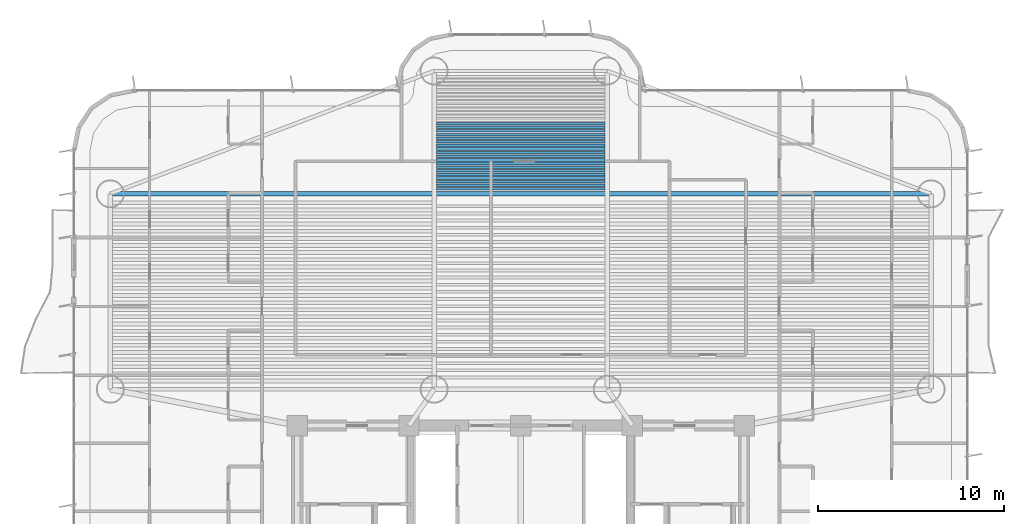
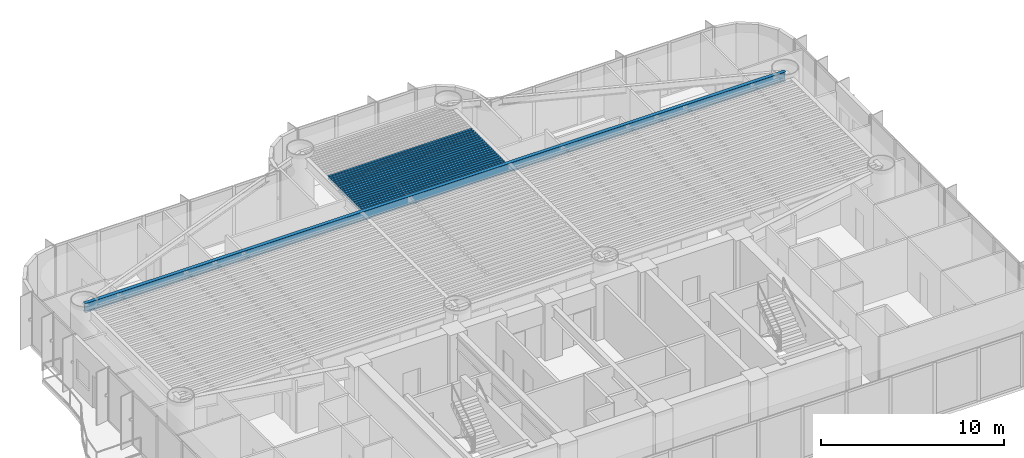
# One storey, part 4 of 19: 20 beams.
"""IFC4 building model written with IfcOpenShell, lengths in metres."""

from ifc_helpers import new_model, si_unit, direction, frame, origin, origin_2d, place, context, subcontext, project, spatial, i_section, extrude, source, transform, mapped, material, material_profile, profile_set, type_object, element, save


model = new_model("IFC4")

# Units and contexts
model_context = context("Model", 3, precision=1e-05, world=origin(), true_north=direction((0.0, 1.0)))
body_context = subcontext(model_context, "Body", "Model", "MODEL_VIEW")
ifc_project = project(units=[si_unit("LENGTHUNIT", "METRE"), si_unit("AREAUNIT", "SQUARE_METRE"), si_unit("VOLUMEUNIT", "CUBIC_METRE"), si_unit("PLANEANGLEUNIT", "RADIAN"), si_unit("MASSUNIT", "GRAM", prefix="KILO")], contexts=[model_context])

# Site, building, storey
site_placement = place(None, origin())
site = spatial("IfcSite", under=ifc_project, at=site_placement, CompositionType="ELEMENT")
building_placement = place(site_placement, origin())
building = spatial("IfcBuilding", under=site, at=building_placement, Name="Brelvock Crest Care Tower", CompositionType="ELEMENT")
storey_placement = place(building_placement, frame((0.0, 0.0, 30.780029296875)))
storey = spatial("IfcBuildingStorey", under=building, at=storey_placement, Name="L07", CompositionType="ELEMENT", Elevation=30.780029296875)

# Beams
ifc_material = material(Name="Steel Grade 350", Category="steel")
ifc_material_profile_1 = material_profile(ifc_material, i_section(OverallWidth=0.22900390625, OverallDepth=0.612060546875, WebThickness=0.011962890625, FlangeThickness=0.01953125, FilletRadius=0.013916015625, at=origin_2d()), Name="610UB125")
ifc_profile_set_1 = profile_set([ifc_material_profile_1], Name="Steel Grade 350")
beam_type_1 = type_object("IfcBeamType", Name="BM-G1", PredefinedType="BEAM", material=ifc_profile_set_1)
shared_shape_1 = source(origin(), body_context, "Body", "SweptSolid", [
    extrude(i_section(OverallWidth=0.22900390625, OverallDepth=0.612060546875, WebThickness=0.011962890625, FlangeThickness=0.01953125, FilletRadius=0.013916015625, at=origin_2d()), origin(), (0.0, 0.0, 1.0), 44.10009765625),
])
beam_placement = place(storey_placement, frame((13.949951171875, 30.449951171875, 3.223876953125), z_axis=(1.0, 0.0, 0.0), x_axis=(0.0, 1.0, 0.0)))
element("IfcBeam", 1, at=beam_placement, inside=storey, type_object=beam_type_1, Name="BM-TWR-L07-11", PredefinedType="BEAM", context=body_context, shape_type="MappedRepresentation", body=[
    mapped(shared_shape_1, transform((0.0, 0.0, 0.0), x_axis=(1.0, 0.0, 0.0), y_axis=(0.0, 1.0, 0.0), z_axis=(0.0, 0.0, 1.0), scale=1.0)),
])
ifc_material_profile_2 = material_profile(ifc_material, i_section(OverallWidth=0.14599609375, OverallDepth=0.256103515625, WebThickness=0.00634765625, FlangeThickness=0.010986328125, FilletRadius=0.0087890625, at=origin_2d()), Name="250UB37.3")
ifc_profile_set_2 = profile_set([ifc_material_profile_2], Name="Steel Grade 350")
beam_type_2 = type_object("IfcBeamType", Name="BM-J3", PredefinedType="JOIST", material=ifc_profile_set_2)
shared_shape_2 = source(origin(), body_context, "Body", "SweptSolid", [
    extrude(i_section(OverallWidth=0.14599609375, OverallDepth=0.256103515625, WebThickness=0.00634765625, FlangeThickness=0.010986328125, FilletRadius=0.0087890625, at=origin_2d()), origin(), (0.0, 0.0, 1.0), 9.06982421875),
])
for number, where, z_axis, x_axis, name in (
    (2, (31.465087890625, 30.714111328125, 3.40185546875), (1.0, 0.0, 0.0), (0.0, 1.0, 0.0), "BM-JN-L07-1"),
    (3, (31.465087890625, 30.90869140625, 3.40185546875), (1.0, 0.0, 0.0), (0.0, 1.0, 0.0), "BM-JN-L07-2"),
    (4, (31.465087890625, 31.103515625, 3.40185546875), (1.0, 0.0, 0.0), (0.0, 1.0, 0.0), "BM-JN-L07-3"),
    (5, (31.465087890625, 31.298095703125, 3.40185546875), (1.0, 0.0, 0.0), (0.0, 1.0, 0.0), "BM-JN-L07-4"),
    (6, (31.465087890625, 31.492919921875, 3.40185546875), (1.0, 0.0, 0.0), (0.0, 1.0, 0.0), "BM-JN-L07-5"),
    (7, (31.465087890625, 31.6875, 3.40185546875), (1.0, 0.0, 0.0), (0.0, 1.0, 0.0), "BM-JN-L07-6"),
    (8, (31.465087890625, 31.882080078125, 3.40185546875), (1.0, 0.0, 0.0), (0.0, 1.0, 0.0), "BM-JN-L07-7"),
    (9, (31.465087890625, 32.076904296875, 3.40185546875), (1.0, 0.0, 0.0), (0.0, 1.0, 0.0), "BM-JN-L07-8"),
    (10, (31.465087890625, 32.271484375, 3.40185546875), (1.0, 0.0, 0.0), (0.0, 1.0, 0.0), "BM-JN-L07-9"),
    (11, (31.465087890625, 32.46630859375, 3.40185546875), (1.0, 0.0, 0.0), (0.0, 1.0, 0.0), "BM-JN-L07-10"),
    (12, (31.465087890625, 32.660888671875, 3.40185546875), (1.0, 0.0, 0.0), (0.0, 1.0, 0.0), "BM-JN-L07-11"),
    (13, (31.465087890625, 32.855712890625, 3.40185546875), (1.0, 0.0, 0.0), (0.0, 1.0, 0.0), "BM-JN-L07-12"),
    (14, (31.465087890625, 33.05029296875, 3.40185546875), (1.0, 0.0, 0.0), (0.0, 1.0, 0.0), "BM-JN-L07-13"),
):
    element("IfcBeam", number, at=place(storey_placement, frame(where, z_axis=z_axis, x_axis=x_axis)), inside=storey, type_object=beam_type_2, Name=name, PredefinedType="JOIST", context=body_context, shape_type="MappedRepresentation", body=[
        mapped(shared_shape_2, transform((0.0, 0.0, 0.0), x_axis=(1.0, 0.0, 0.0), y_axis=(0.0, 1.0, 0.0), z_axis=(0.0, 0.0, 1.0), scale=1.0)),
    ])
ifc_material_profile_3 = material_profile(ifc_material, i_section(OverallWidth=0.134033203125, OverallDepth=0.20703125, WebThickness=0.00634765625, FlangeThickness=0.009521484375, FilletRadius=0.0087890625, at=origin_2d()), Name="200UB29.8")
ifc_profile_set_3 = profile_set([ifc_material_profile_3], Name="Steel Grade 350")
beam_type_3 = type_object("IfcBeamType", Name="BM-J4", PredefinedType="JOIST", material=ifc_profile_set_3)
shared_shape_3 = source(origin(), body_context, "Body", "SweptSolid", [
    extrude(i_section(OverallWidth=0.134033203125, OverallDepth=0.20703125, WebThickness=0.00634765625, FlangeThickness=0.009521484375, FilletRadius=0.0087890625, at=origin_2d()), origin(), (0.0, 0.0, 1.0), 9.06982421875),
])
for number, where, z_axis, x_axis, name in (
    (15, (31.465087890625, 33.2451171875, 3.426513671875), (1.0, 0.0, 0.0), (0.0, 1.0, 0.0), "BM-JN-L07-14"),
    (16, (31.465087890625, 33.439697265625, 3.426513671875), (1.0, 0.0, 0.0), (0.0, 1.0, 0.0), "BM-JN-L07-15"),
    (17, (31.465087890625, 33.634521484375, 3.426513671875), (1.0, 0.0, 0.0), (0.0, 1.0, 0.0), "BM-JN-L07-16"),
    (18, (31.465087890625, 33.8291015625, 3.426513671875), (1.0, 0.0, 0.0), (0.0, 1.0, 0.0), "BM-JN-L07-17"),
    (19, (31.465087890625, 34.02392578125, 3.426513671875), (1.0, 0.0, 0.0), (0.0, 1.0, 0.0), "BM-JN-L07-18"),
    (20, (31.465087890625, 34.218505859375, 3.426513671875), (1.0, 0.0, 0.0), (0.0, 1.0, 0.0), "BM-JN-L07-19"),
):
    element("IfcBeam", number, at=place(storey_placement, frame(where, z_axis=z_axis, x_axis=x_axis)), inside=storey, type_object=beam_type_3, Name=name, PredefinedType="JOIST", context=body_context, shape_type="MappedRepresentation", body=[
        mapped(shared_shape_3, transform((0.0, 0.0, 0.0), x_axis=(1.0, 0.0, 0.0), y_axis=(0.0, 1.0, 0.0), z_axis=(0.0, 0.0, 1.0), scale=1.0)),
    ])

save(model, "model.ifc")
